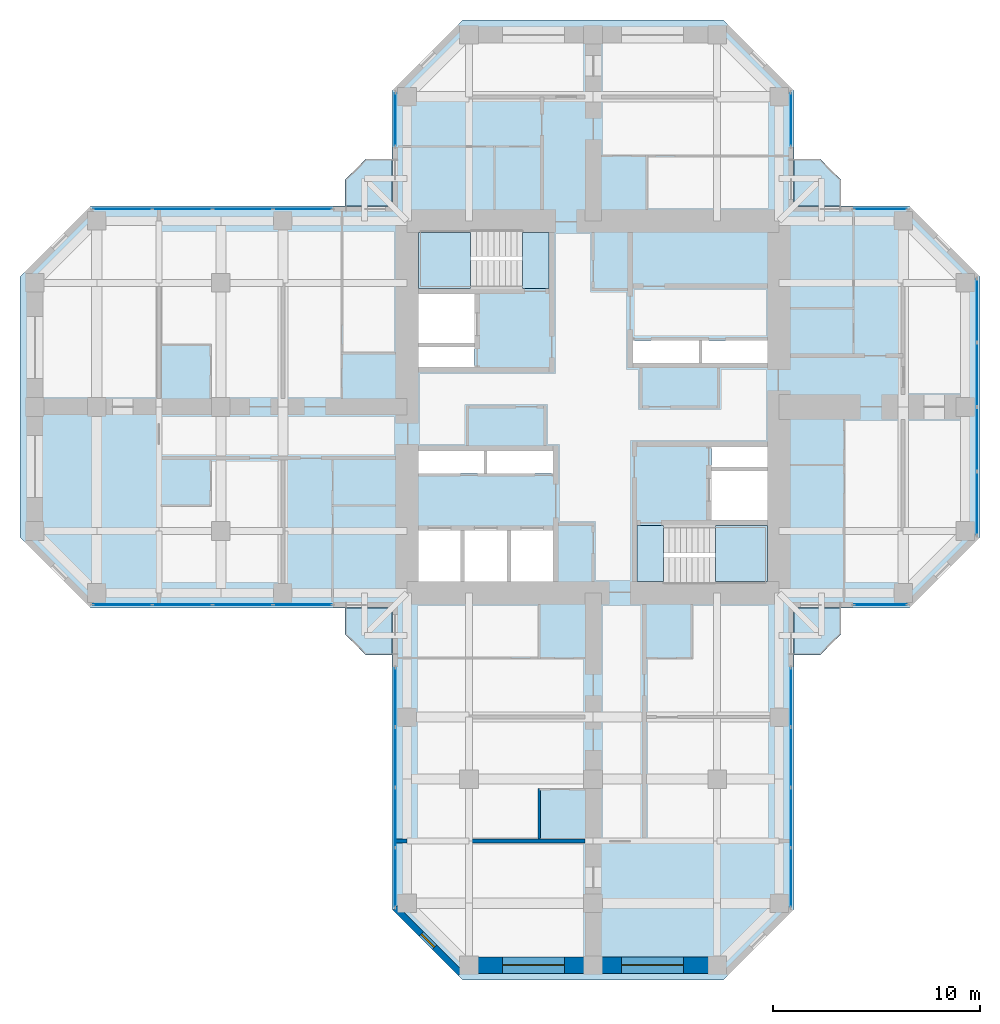
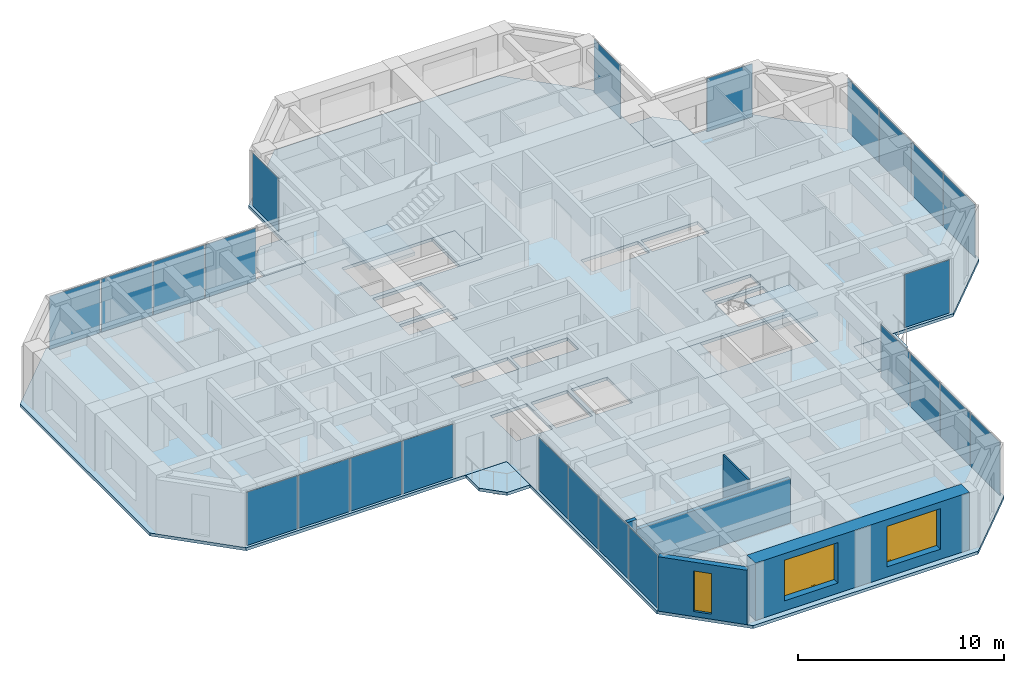
# One storey, part 7 of 14: 24 plates, 9 slabs, 5 walls, 3 windows, 3 openings, 11 elements without a shape of their own.
"""IFC4 building model written with IfcOpenShell, lengths in metres."""

from ifc_helpers import new_model, si_unit, direction, frame, frame_2d, origin, origin_2d, place, context, subcontext, project, spatial, polyline, rectangle, hollow_rectangle, outline, extrude, material, layer, layer_set, constituent, constituent_set, type_object, element, fill, aggregate, save


model = new_model("IFC4")

# Units and contexts
model_context = context("Model", 3, precision=1e-05, world=origin(), true_north=direction((0.0, 1.0)))
body_context = subcontext(model_context, "Body", "Model", "MODEL_VIEW")
ifc_project = project(units=[si_unit("LENGTHUNIT", "METRE"), si_unit("AREAUNIT", "SQUARE_METRE"), si_unit("VOLUMEUNIT", "CUBIC_METRE"), si_unit("PLANEANGLEUNIT", "RADIAN"), si_unit("MASSUNIT", "GRAM", prefix="KILO")], contexts=[model_context])

# Site, building, storey
site_placement = place(None, origin())
site = spatial("IfcSite", under=ifc_project, at=site_placement, CompositionType="ELEMENT")
building_placement = place(site_placement, origin())
building = spatial("IfcBuilding", under=site, at=building_placement, Name="Torre Cruceta", CompositionType="ELEMENT")
storey_placement = place(building_placement, frame((0.0, 0.0, 179.699951171875)))
storey = spatial("IfcBuildingStorey", under=building, at=storey_placement, Name="L44", CompositionType="ELEMENT", Elevation=179.699951171875)

# Slabs
ifc_material_1 = material(Name="Concrete G35 (fck 35 MPa)", Category="concrete")
ifc_layer_1 = layer(ifc_material_1, 0.179931640625)
ifc_layer_set_1 = layer_set([ifc_layer_1], Name="Concrete G35 (fck 35 MPa)")
slab_type_1 = type_object("IfcSlabType", Name="BALCONY SLAB 180", PredefinedType="USERDEFINED", material=ifc_layer_set_1)
slab_1_placement = place(storey_placement, frame((0.0, 0.0, -0.179931640625)))
element("IfcSlab", 1, at=slab_1_placement, inside=storey, type_object=slab_type_1, Name="Balcony slab L44 N", ObjectType="BALCONY", PredefinedType="USERDEFINED", context=body_context, shape_type="SweptSolid", body=[
    extrude(outline(polyline([(-12.0, 11.0), (-11.0, 12.0), (-9.719970703125, 12.0), (-9.719970703125, 9.719970703125), (-12.0, 9.719970703125), (-12.0, 11.0)])), origin(), (0.0, 0.0, 1.0), 0.179931640625),
])
slab_2_placement = place(storey_placement, frame((0.0, 0.0, -0.179931640625)))
element("IfcSlab", 2, at=slab_2_placement, inside=storey, type_object=slab_type_1, Name="Balcony slab L44 E", ObjectType="BALCONY", PredefinedType="USERDEFINED", context=body_context, shape_type="SweptSolid", body=[
    extrude(outline(polyline([(11.0, 12.0), (12.0, 11.0), (12.0, 9.719970703125), (9.719970703125, 9.719970703125), (9.719970703125, 12.0), (11.0, 12.0)])), origin(), (0.0, 0.0, 1.0), 0.179931640625),
])
slab_3_placement = place(storey_placement, frame((0.0, 0.0, -0.179931640625)))
element("IfcSlab", 3, at=slab_3_placement, inside=storey, type_object=slab_type_1, Name="Balcony slab L44 S", ObjectType="BALCONY", PredefinedType="USERDEFINED", context=body_context, shape_type="SweptSolid", body=[
    extrude(outline(polyline([(12.0, -11.0), (11.0, -12.0), (9.719970703125, -12.0), (9.719970703125, -9.719970703125), (12.0, -9.719970703125), (12.0, -11.0)])), origin(), (0.0, 0.0, 1.0), 0.179931640625),
])
slab_4_placement = place(storey_placement, frame((0.0, 0.0, -0.179931640625)))
element("IfcSlab", 4, at=slab_4_placement, inside=storey, type_object=slab_type_1, Name="Balcony slab L44 W", ObjectType="BALCONY", PredefinedType="USERDEFINED", context=body_context, shape_type="SweptSolid", body=[
    extrude(outline(polyline([(-11.0, -12.0), (-12.0, -11.0), (-12.0, -9.719970703125), (-9.719970703125, -9.719970703125), (-9.719970703125, -12.0), (-11.0, -12.0)])), origin(), (0.0, 0.0, 1.0), 0.179931640625),
])

# Curtain wall, plate
ifc_material_2 = material(Name="Aluminium unitised curtain wall", Category="aluminium")
curtain_wall_type = type_object("IfcCurtainWallType", Name="CURTAIN WALL CW-C CO-LIVING", PredefinedType="USERDEFINED", material=ifc_material_2)
curtain_wall_1_placement = place(storey_placement, origin())
curtain_wall_1 = element("IfcCurtainWall", 5, at=curtain_wall_1_placement, inside=storey, type_object=curtain_wall_type, Name="CW-C L44 E tip 02", ObjectType="UNITISED", PredefinedType="USERDEFINED")
ifc_material_3 = material(Name="Laminated insulating glass unit, diagonal frit 50 %", Category="glass")
ifc_material_4 = material(Name="Laminated insulating glass unit, diagonal frit 50 %", Category="glass")
ifc_layer_2 = layer(ifc_material_4, 0.030029296875)
ifc_layer_set_2 = layer_set([ifc_layer_2], Name="Laminated insulating glass unit, diagonal frit 50 %")
plate_type_1 = type_object("IfcPlateType", Name="CW-C OPERABLE VENT PANEL 30", PredefinedType="CURTAIN_PANEL", material=ifc_layer_set_2)
plate_1_placement = place(storey_placement, frame((18.570068359375, -1.55908203125, 0.010009765625), z_axis=(0.0, 0.0, 1.0), x_axis=(0.0, 1.0, 0.0)))
plate_1 = element("IfcPlate", 6, at=plate_1_placement, type_object=plate_type_1, material=ifc_material_3, Name="CW-C vent 2", PredefinedType="CURTAIN_PANEL", context=body_context, shape_type="SweptSolid", body=[
    extrude(rectangle(XDim=3.05810546875, YDim=0.030029296875, at=origin_2d()), origin(), (0.0, 0.0, 1.0), 3.14990234375),
])

curtain_wall_2_placement = place(storey_placement, origin())
curtain_wall_2 = element("IfcCurtainWall", 7, at=curtain_wall_2_placement, inside=storey, type_object=curtain_wall_type, Name="CW-C L44 W side 10", ObjectType="UNITISED", PredefinedType="USERDEFINED")
plate_2_placement = place(storey_placement, frame((-16.94482421875, 9.570068359375, 0.010009765625), z_axis=(0.0, 0.0, 1.0), x_axis=(-1.0, 0.0, 0.0)))
plate_2 = element("IfcPlate", 8, at=plate_2_placement, type_object=plate_type_1, material=ifc_material_3, Name="CW-C vent 2", PredefinedType="CURTAIN_PANEL", context=body_context, shape_type="SweptSolid", body=[
    extrude(rectangle(XDim=2.8564453125, YDim=0.030029296875, at=origin_2d()), origin(), (0.0, 0.0, 1.0), 3.14990234375),
])

curtain_wall_3_placement = place(storey_placement, origin())
curtain_wall_3 = element("IfcCurtainWall", 9, at=curtain_wall_3_placement, inside=storey, type_object=curtain_wall_type, Name="CW-C L44 W side 14", ObjectType="UNITISED", PredefinedType="USERDEFINED")
plate_3_placement = place(storey_placement, frame((-19.861328125, -9.570068359375, 0.010009765625), z_axis=(0.0, 0.0, 1.0), x_axis=(1.0, 0.0, 0.0)))
plate_3 = element("IfcPlate", 10, at=plate_3_placement, type_object=plate_type_1, material=ifc_material_3, Name="CW-C vent 2", PredefinedType="CURTAIN_PANEL", context=body_context, shape_type="SweptSolid", body=[
    extrude(rectangle(XDim=2.8564453125, YDim=0.030029296875, at=origin_2d()), origin(), (0.0, 0.0, 1.0), 3.14990234375),
])

curtain_wall_4_placement = place(storey_placement, origin())
curtain_wall_4 = element("IfcCurtainWall", 11, at=curtain_wall_4_placement, inside=storey, type_object=curtain_wall_type, Name="CW-C L44 S side 15", ObjectType="UNITISED", PredefinedType="USERDEFINED")
plate_4_placement = place(storey_placement, frame((-9.570068359375, -16.94482421875, 0.010009765625), z_axis=(0.0, 0.0, 1.0), x_axis=(0.0, -1.0, 0.0)))
plate_4 = element("IfcPlate", 12, at=plate_4_placement, type_object=plate_type_1, material=ifc_material_3, Name="CW-C vent 2", PredefinedType="CURTAIN_PANEL", context=body_context, shape_type="SweptSolid", body=[
    extrude(rectangle(XDim=2.8564453125, YDim=0.030029296875, at=origin_2d()), origin(), (0.0, 0.0, 1.0), 3.14990234375),
])

curtain_wall_5_placement = place(storey_placement, origin())
curtain_wall_5 = element("IfcCurtainWall", 13, at=curtain_wall_5_placement, inside=storey, type_object=curtain_wall_type, Name="CW-C L44 S side 19", ObjectType="UNITISED", PredefinedType="USERDEFINED")
plate_5_placement = place(storey_placement, frame((9.570068359375, -19.861328125, 0.010009765625), z_axis=(0.0, 0.0, 1.0), x_axis=(0.0, 1.0, 0.0)))
plate_5 = element("IfcPlate", 14, at=plate_5_placement, type_object=plate_type_1, material=ifc_material_3, Name="CW-C vent 2", PredefinedType="CURTAIN_PANEL", context=body_context, shape_type="SweptSolid", body=[
    extrude(rectangle(XDim=2.8564453125, YDim=0.030029296875, at=origin_2d()), origin(), (0.0, 0.0, 1.0), 3.14990234375),
])

curtain_wall_6_placement = place(storey_placement, origin())
curtain_wall_6 = element("IfcCurtainWall", 15, at=curtain_wall_6_placement, inside=storey, type_object=curtain_wall_type, Name="CW-C L44 E side 00", ObjectType="UNITISED", PredefinedType="USERDEFINED")
ifc_material_5 = material(Name="Laminated insulating glass unit, diagonal frit 50 %", Category="glass")
ifc_layer_3 = layer(ifc_material_5, 0.030029296875)
ifc_layer_set_3 = layer_set([ifc_layer_3], Name="Laminated insulating glass unit, diagonal frit 50 %")
plate_type_2 = type_object("IfcPlateType", Name="CW-C PANEL 30", PredefinedType="CURTAIN_PANEL", material=ifc_layer_set_3)
plate_6_placement = place(storey_placement, frame((13.903076171875, -9.570068359375, 0.010009765625), z_axis=(0.0, 0.0, 1.0), x_axis=(1.0, 0.0, 0.0)))
plate_6 = element("IfcPlate", 16, at=plate_6_placement, type_object=plate_type_2, material=ifc_material_3, Name="CW-C panel 1", PredefinedType="CURTAIN_PANEL", context=body_context, shape_type="SweptSolid", body=[
    extrude(rectangle(XDim=2.546142578125, YDim=0.030029296875, at=origin_2d()), origin(), (0.0, 0.0, 1.0), 3.14990234375),
])
aggregate(curtain_wall_6, [plate_6])

# Plate
plate_7_placement = place(storey_placement, frame((18.570068359375, -4.662109375, 0.010009765625), z_axis=(0.0, 0.0, 1.0), x_axis=(0.0, 1.0, 0.0)))
plate_7 = element("IfcPlate", 17, at=plate_7_placement, type_object=plate_type_2, material=ifc_material_3, Name="CW-C panel 1", PredefinedType="CURTAIN_PANEL", context=body_context, shape_type="SweptSolid", body=[
    extrude(rectangle(XDim=3.028076171875, YDim=0.030029296875, at=origin_2d()), origin(), (0.0, 0.0, 1.0), 3.14990234375),
])

plate_8_placement = place(storey_placement, frame((18.570068359375, 1.55908203125, 0.010009765625), z_axis=(0.0, 0.0, 1.0), x_axis=(0.0, 1.0, 0.0)))
plate_8 = element("IfcPlate", 18, at=plate_8_placement, type_object=plate_type_2, material=ifc_material_3, Name="CW-C panel 3", PredefinedType="CURTAIN_PANEL", context=body_context, shape_type="SweptSolid", body=[
    extrude(rectangle(XDim=3.05810546875, YDim=0.030029296875, at=origin_2d()), origin(), (0.0, 0.0, 1.0), 3.14990234375),
])

plate_9_placement = place(storey_placement, frame((18.570068359375, 4.662109375, 0.010009765625), z_axis=(0.0, 0.0, 1.0), x_axis=(0.0, 1.0, 0.0)))
plate_9 = element("IfcPlate", 19, at=plate_9_placement, type_object=plate_type_2, material=ifc_material_3, Name="CW-C panel 4", PredefinedType="CURTAIN_PANEL", context=body_context, shape_type="SweptSolid", body=[
    extrude(rectangle(XDim=3.028076171875, YDim=0.030029296875, at=origin_2d()), origin(), (0.0, 0.0, 1.0), 3.14990234375),
])

aggregate(curtain_wall_1, [plate_7, plate_1, plate_8, plate_9])

# Curtain wall, plate
curtain_wall_7_placement = place(storey_placement, origin())
curtain_wall_7 = element("IfcCurtainWall", 20, at=curtain_wall_7_placement, inside=storey, type_object=curtain_wall_type, Name="CW-C L44 E side 04", ObjectType="UNITISED", PredefinedType="USERDEFINED")
plate_10_placement = place(storey_placement, frame((13.903076171875, 9.570068359375, 0.010009765625), z_axis=(0.0, 0.0, 1.0), x_axis=(-1.0, 0.0, 0.0)))
plate_10 = element("IfcPlate", 21, at=plate_10_placement, type_object=plate_type_2, material=ifc_material_3, Name="CW-C panel 1", PredefinedType="CURTAIN_PANEL", context=body_context, shape_type="SweptSolid", body=[
    extrude(rectangle(XDim=2.546142578125, YDim=0.030029296875, at=origin_2d()), origin(), (0.0, 0.0, 1.0), 3.14990234375),
])
aggregate(curtain_wall_7, [plate_10])

curtain_wall_8_placement = place(storey_placement, origin())
curtain_wall_8 = element("IfcCurtainWall", 22, at=curtain_wall_8_placement, inside=storey, type_object=curtain_wall_type, Name="CW-C L44 N side 05", ObjectType="UNITISED", PredefinedType="USERDEFINED")
plate_11_placement = place(storey_placement, frame((9.570068359375, 13.903076171875, 0.010009765625), z_axis=(0.0, 0.0, 1.0), x_axis=(0.0, 1.0, 0.0)))
plate_11 = element("IfcPlate", 23, at=plate_11_placement, type_object=plate_type_2, material=ifc_material_3, Name="CW-C panel 1", PredefinedType="CURTAIN_PANEL", context=body_context, shape_type="SweptSolid", body=[
    extrude(rectangle(XDim=2.546142578125, YDim=0.030029296875, at=origin_2d()), origin(), (0.0, 0.0, 1.0), 3.14990234375),
])
aggregate(curtain_wall_8, [plate_11])

curtain_wall_9_placement = place(storey_placement, origin())
curtain_wall_9 = element("IfcCurtainWall", 24, at=curtain_wall_9_placement, inside=storey, type_object=curtain_wall_type, Name="CW-C L44 N side 09", ObjectType="UNITISED", PredefinedType="USERDEFINED")
plate_12_placement = place(storey_placement, frame((-9.570068359375, 13.903076171875, 0.010009765625), z_axis=(0.0, 0.0, 1.0), x_axis=(0.0, -1.0, 0.0)))
plate_12 = element("IfcPlate", 25, at=plate_12_placement, type_object=plate_type_2, material=ifc_material_3, Name="CW-C panel 1", PredefinedType="CURTAIN_PANEL", context=body_context, shape_type="SweptSolid", body=[
    extrude(rectangle(XDim=2.546142578125, YDim=0.030029296875, at=origin_2d()), origin(), (0.0, 0.0, 1.0), 3.14990234375),
])
aggregate(curtain_wall_9, [plate_12])

# Plate
plate_13_placement = place(storey_placement, frame((-14.043212890625, 9.570068359375, 0.010009765625), z_axis=(0.0, 0.0, 1.0), x_axis=(-1.0, 0.0, 0.0)))
plate_13 = element("IfcPlate", 26, at=plate_13_placement, type_object=plate_type_2, material=ifc_material_3, Name="CW-C panel 1", PredefinedType="CURTAIN_PANEL", context=body_context, shape_type="SweptSolid", body=[
    extrude(rectangle(XDim=2.826416015625, YDim=0.030029296875, at=origin_2d()), origin(), (0.0, 0.0, 1.0), 3.14990234375),
])

plate_14_placement = place(storey_placement, frame((-19.861328125, 9.570068359375, 0.010009765625), z_axis=(0.0, 0.0, 1.0), x_axis=(-1.0, 0.0, 0.0)))
plate_14 = element("IfcPlate", 27, at=plate_14_placement, type_object=plate_type_2, material=ifc_material_3, Name="CW-C panel 3", PredefinedType="CURTAIN_PANEL", context=body_context, shape_type="SweptSolid", body=[
    extrude(rectangle(XDim=2.8564453125, YDim=0.030029296875, at=origin_2d()), origin(), (0.0, 0.0, 1.0), 3.14990234375),
])

plate_15_placement = place(storey_placement, frame((-22.762939453125, 9.570068359375, 0.010009765625), z_axis=(0.0, 0.0, 1.0), x_axis=(-1.0, 0.0, 0.0)))
plate_15 = element("IfcPlate", 28, at=plate_15_placement, type_object=plate_type_2, material=ifc_material_3, Name="CW-C panel 4", PredefinedType="CURTAIN_PANEL", context=body_context, shape_type="SweptSolid", body=[
    extrude(rectangle(XDim=2.826416015625, YDim=0.030029296875, at=origin_2d()), origin(), (0.0, 0.0, 1.0), 3.14990234375),
])

aggregate(curtain_wall_2, [plate_13, plate_2, plate_14, plate_15])

plate_16_placement = place(storey_placement, frame((-22.762939453125, -9.570068359375, 0.010009765625), z_axis=(0.0, 0.0, 1.0), x_axis=(1.0, 0.0, 0.0)))
plate_16 = element("IfcPlate", 29, at=plate_16_placement, type_object=plate_type_2, material=ifc_material_3, Name="CW-C panel 1", PredefinedType="CURTAIN_PANEL", context=body_context, shape_type="SweptSolid", body=[
    extrude(rectangle(XDim=2.826416015625, YDim=0.030029296875, at=origin_2d()), origin(), (0.0, 0.0, 1.0), 3.14990234375),
])

plate_17_placement = place(storey_placement, frame((-16.94482421875, -9.570068359375, 0.010009765625), z_axis=(0.0, 0.0, 1.0), x_axis=(1.0, 0.0, 0.0)))
plate_17 = element("IfcPlate", 30, at=plate_17_placement, type_object=plate_type_2, material=ifc_material_3, Name="CW-C panel 3", PredefinedType="CURTAIN_PANEL", context=body_context, shape_type="SweptSolid", body=[
    extrude(rectangle(XDim=2.8564453125, YDim=0.030029296875, at=origin_2d()), origin(), (0.0, 0.0, 1.0), 3.14990234375),
])

plate_18_placement = place(storey_placement, frame((-14.043212890625, -9.570068359375, 0.010009765625), z_axis=(0.0, 0.0, 1.0), x_axis=(1.0, 0.0, 0.0)))
plate_18 = element("IfcPlate", 31, at=plate_18_placement, type_object=plate_type_2, material=ifc_material_3, Name="CW-C panel 4", PredefinedType="CURTAIN_PANEL", context=body_context, shape_type="SweptSolid", body=[
    extrude(rectangle(XDim=2.826416015625, YDim=0.030029296875, at=origin_2d()), origin(), (0.0, 0.0, 1.0), 3.14990234375),
])

aggregate(curtain_wall_3, [plate_16, plate_3, plate_17, plate_18])

plate_19_placement = place(storey_placement, frame((-9.570068359375, -14.043212890625, 0.010009765625), z_axis=(0.0, 0.0, 1.0), x_axis=(0.0, -1.0, 0.0)))
plate_19 = element("IfcPlate", 32, at=plate_19_placement, type_object=plate_type_2, material=ifc_material_3, Name="CW-C panel 1", PredefinedType="CURTAIN_PANEL", context=body_context, shape_type="SweptSolid", body=[
    extrude(rectangle(XDim=2.826416015625, YDim=0.030029296875, at=origin_2d()), origin(), (0.0, 0.0, 1.0), 3.14990234375),
])

plate_20_placement = place(storey_placement, frame((-9.570068359375, -19.861328125, 0.010009765625), z_axis=(0.0, 0.0, 1.0), x_axis=(0.0, -1.0, 0.0)))
plate_20 = element("IfcPlate", 33, at=plate_20_placement, type_object=plate_type_2, material=ifc_material_3, Name="CW-C panel 3", PredefinedType="CURTAIN_PANEL", context=body_context, shape_type="SweptSolid", body=[
    extrude(rectangle(XDim=2.8564453125, YDim=0.030029296875, at=origin_2d()), origin(), (0.0, 0.0, 1.0), 3.14990234375),
])

plate_21_placement = place(storey_placement, frame((-9.570068359375, -22.762939453125, 0.010009765625), z_axis=(0.0, 0.0, 1.0), x_axis=(0.0, -1.0, 0.0)))
plate_21 = element("IfcPlate", 34, at=plate_21_placement, type_object=plate_type_2, material=ifc_material_3, Name="CW-C panel 4", PredefinedType="CURTAIN_PANEL", context=body_context, shape_type="SweptSolid", body=[
    extrude(rectangle(XDim=2.826416015625, YDim=0.030029296875, at=origin_2d()), origin(), (0.0, 0.0, 1.0), 3.14990234375),
])

aggregate(curtain_wall_4, [plate_19, plate_4, plate_20, plate_21])

plate_22_placement = place(storey_placement, frame((9.570068359375, -22.762939453125, 0.010009765625), z_axis=(0.0, 0.0, 1.0), x_axis=(0.0, 1.0, 0.0)))
plate_22 = element("IfcPlate", 35, at=plate_22_placement, type_object=plate_type_2, material=ifc_material_3, Name="CW-C panel 1", PredefinedType="CURTAIN_PANEL", context=body_context, shape_type="SweptSolid", body=[
    extrude(rectangle(XDim=2.826416015625, YDim=0.030029296875, at=origin_2d()), origin(), (0.0, 0.0, 1.0), 3.14990234375),
])

plate_23_placement = place(storey_placement, frame((9.570068359375, -16.94482421875, 0.010009765625), z_axis=(0.0, 0.0, 1.0), x_axis=(0.0, 1.0, 0.0)))
plate_23 = element("IfcPlate", 36, at=plate_23_placement, type_object=plate_type_2, material=ifc_material_3, Name="CW-C panel 3", PredefinedType="CURTAIN_PANEL", context=body_context, shape_type="SweptSolid", body=[
    extrude(rectangle(XDim=2.8564453125, YDim=0.030029296875, at=origin_2d()), origin(), (0.0, 0.0, 1.0), 3.14990234375),
])

plate_24_placement = place(storey_placement, frame((9.570068359375, -14.043212890625, 0.010009765625), z_axis=(0.0, 0.0, 1.0), x_axis=(0.0, 1.0, 0.0)))
plate_24 = element("IfcPlate", 37, at=plate_24_placement, type_object=plate_type_2, material=ifc_material_3, Name="CW-C panel 4", PredefinedType="CURTAIN_PANEL", context=body_context, shape_type="SweptSolid", body=[
    extrude(rectangle(XDim=2.826416015625, YDim=0.030029296875, at=origin_2d()), origin(), (0.0, 0.0, 1.0), 3.14990234375),
])

aggregate(curtain_wall_5, [plate_22, plate_5, plate_23, plate_24])

# Slab
ifc_material_6 = material(Name="Concrete G35 (fck 35 MPa)", Category="concrete")
ifc_layer_4 = layer(ifc_material_6, 0.179931640625)
ifc_layer_set_4 = layer_set([ifc_layer_4], Name="Concrete G35 (fck 35 MPa)")
slab_type_2 = type_object("IfcSlabType", Name="FLOOR SLAB 180", PredefinedType="FLOOR", material=ifc_layer_set_4)
slab_5_placement = place(storey_placement, frame((0.0, 0.0, -0.179931640625)))
element("IfcSlab", 38, at=slab_5_placement, inside=storey, type_object=slab_type_2, Name="Floor Slab L44", PredefinedType="FLOOR", context=body_context, shape_type="SweptSolid", body=[
    extrude(outline(polyline([(9.719970703125, -9.719970703125), (9.719970703125, -24.29833984375), (6.29833984375, -27.719970703125), (-6.29833984375, -27.719970703125), (-9.719970703125, -24.29833984375), (-9.719970703125, -9.719970703125), (-24.29833984375, -9.719970703125), (-27.719970703125, -6.29833984375), (-27.719970703125, 6.29833984375), (-24.29833984375, 9.719970703125), (-9.719970703125, 9.719970703125), (-9.719970703125, 15.29833984375), (-6.29833984375, 18.719970703125), (6.29833984375, 18.719970703125), (9.719970703125, 15.29833984375), (9.719970703125, 9.719970703125), (15.29833984375, 9.719970703125), (18.719970703125, 6.29833984375), (18.719970703125, -6.29833984375), (15.29833984375, -9.719970703125), (9.719970703125, -9.719970703125)]), holes=[polyline([(1.925048828125, 2.125), (5.125, 2.125), (5.125, 3.22509765625), (1.925048828125, 3.22509765625), (1.925048828125, 2.125)]), polyline([(5.27490234375, 2.125), (8.449951171875, 2.125), (8.449951171875, 3.22509765625), (5.27490234375, 3.22509765625), (5.27490234375, 2.125)]), polyline([(-8.449951171875, 3.10009765625), (-5.72509765625, 3.10009765625), (-5.72509765625, 5.47509765625), (-8.449951171875, 5.47509765625), (-8.449951171875, 3.10009765625)]), polyline([(-8.449951171875, 1.925048828125), (-5.72509765625, 1.925048828125), (-5.72509765625, 2.89990234375), (-8.449951171875, 2.89990234375), (-8.449951171875, 1.925048828125)]), polyline([(-3.966552734375, -8.449951171875), (-1.925048828125, -8.449951171875), (-1.925048828125, -5.97509765625), (-3.966552734375, -5.97509765625), (-3.966552734375, -8.449951171875)]), polyline([(-6.208251953125, -8.449951171875), (-4.166748046875, -8.449951171875), (-4.166748046875, -5.97509765625), (-6.208251953125, -5.97509765625), (-6.208251953125, -8.449951171875)]), polyline([(-8.449951171875, -8.449951171875), (-6.408447265625, -8.449951171875), (-6.408447265625, -5.97509765625), (-8.449951171875, -5.97509765625), (-8.449951171875, -8.449951171875)]), polyline([(-5.125, -3.22509765625), (-1.925048828125, -3.22509765625), (-1.925048828125, -2.125), (-5.125, -2.125), (-5.125, -3.22509765625)]), polyline([(-8.449951171875, -3.22509765625), (-5.27490234375, -3.22509765625), (-5.27490234375, -2.125), (-8.449951171875, -2.125), (-8.449951171875, -3.22509765625)]), polyline([(5.72509765625, -5.47509765625), (8.449951171875, -5.47509765625), (8.449951171875, -3.10009765625), (5.72509765625, -3.10009765625), (5.72509765625, -5.47509765625)]), polyline([(5.72509765625, -2.89990234375), (8.449951171875, -2.89990234375), (8.449951171875, -1.925048828125), (5.72509765625, -1.925048828125), (5.72509765625, -2.89990234375)]), polyline([(-8.449951171875, 5.72509765625), (-8.449951171875, 8.449951171875), (-3.39990234375, 8.449951171875), (-2.125, 8.449951171875), (-2.125, 5.72509765625), (-3.39990234375, 5.72509765625), (-8.449951171875, 5.72509765625)]), polyline([(2.125, -5.72509765625), (3.39990234375, -5.72509765625), (8.449951171875, -5.72509765625), (8.449951171875, -8.449951171875), (3.39990234375, -8.449951171875), (2.125, -8.449951171875), (2.125, -5.72509765625)])]), origin(), (0.0, 0.0, 1.0), 0.179931640625),
])

# Stair, slab
ifc_material_7 = material(Name="Concrete G30 (fck 30 MPa)", Category="concrete")
stair_type = type_object("IfcStairType", Name="STAIR HALF-TURN 1300", PredefinedType="HALF_TURN_STAIR", material=ifc_material_7)
stair_1_placement = place(storey_placement, origin())
stair_1 = element("IfcStair", 39, at=stair_1_placement, inside=storey, type_object=stair_type, Name="Stair ST1 L44", PredefinedType="HALF_TURN_STAIR")
ifc_material_8 = material(Name="Concrete G30 (fck 30 MPa)", Category="concrete")
ifc_layer_5 = layer(ifc_material_8, 0.199951171875)
ifc_layer_set_5 = layer_set([ifc_layer_5], Name="Concrete G30 (fck 30 MPa)")
slab_type_3 = type_object("IfcSlabType", Name="STAIR LANDING 200", PredefinedType="LANDING", material=ifc_layer_set_5)
slab_6_placement = place(storey_placement, frame((0.0, 0.0, 1.5)))
slab_6 = element("IfcSlab", 40, at=slab_6_placement, type_object=slab_type_3, Name="ST1 landing 1", PredefinedType="LANDING", context=body_context, shape_type="SweptSolid", body=[
    extrude(outline(polyline([(-8.449951171875, 5.72509765625), (-5.919921875, 5.72509765625), (-5.919921875, 8.449951171875), (-8.449951171875, 8.449951171875), (-8.449951171875, 5.72509765625)])), origin(), (0.0, 0.0, 1.0), 0.199951171875),
])
aggregate(stair_1, [slab_6])

stair_2_placement = place(storey_placement, origin())
stair_2 = element("IfcStair", 41, at=stair_2_placement, inside=storey, type_object=stair_type, Name="Stair ST2 L44", PredefinedType="HALF_TURN_STAIR")
slab_7_placement = place(storey_placement, frame((0.0, 0.0, 1.5)))
slab_7 = element("IfcSlab", 42, at=slab_7_placement, type_object=slab_type_3, Name="ST2 landing 1", PredefinedType="LANDING", context=body_context, shape_type="SweptSolid", body=[
    extrude(outline(polyline([(5.919921875, -8.449951171875), (8.449951171875, -8.449951171875), (8.449951171875, -5.72509765625), (5.919921875, -5.72509765625), (5.919921875, -8.449951171875)])), origin(), (0.0, 0.0, 1.0), 0.199951171875),
])
aggregate(stair_2, [slab_7])

# Slabs
slab_8_placement = place(storey_placement, frame((0.0, 0.0, -0.199951171875)))
element("IfcSlab", 43, at=slab_8_placement, inside=storey, type_object=slab_type_3, Name="Stair ST1 floor landing L44", PredefinedType="LANDING", context=body_context, shape_type="SweptSolid", body=[
    extrude(outline(polyline([(-2.125, 8.449951171875), (-2.125, 5.72509765625), (-3.39990234375, 5.72509765625), (-3.39990234375, 8.449951171875), (-2.125, 8.449951171875)])), origin(), (0.0, 0.0, 1.0), 0.199951171875),
])
slab_9_placement = place(storey_placement, frame((0.0, 0.0, -0.199951171875)))
element("IfcSlab", 44, at=slab_9_placement, inside=storey, type_object=slab_type_3, Name="Stair ST2 floor landing L44", PredefinedType="LANDING", context=body_context, shape_type="SweptSolid", body=[
    extrude(outline(polyline([(2.125, -8.449951171875), (2.125, -5.72509765625), (3.39990234375, -5.72509765625), (3.39990234375, -8.449951171875), (2.125, -8.449951171875)])), origin(), (0.0, 0.0, 1.0), 0.199951171875),
])

# Wall
ifc_material_9 = material(Name="Water-resistant plasterboard on steel studs", Category="steel")
ifc_layer_6 = layer(ifc_material_9, 0.10009765625)
ifc_layer_set_6 = layer_set([ifc_layer_6], Name="Water-resistant plasterboard on steel studs")
wall_type_1 = type_object("IfcWallType", Name="BATHROOM WALL 100", PredefinedType="PARTITIONING", material=ifc_layer_set_6)
wall_1_placement = place(storey_placement, frame((-2.60009765625, -18.449951171875, 0.0), z_axis=(0.0, 0.0, 1.0), x_axis=(0.0, -1.0, 0.0)))
element("IfcWall", 45, at=wall_1_placement, inside=storey, type_object=wall_type_1, Name="PT4 L44-S-U2RBB", PredefinedType="PARTITIONING", context=body_context, shape_type="SweptSolid", body=[
    extrude(rectangle(XDim=2.449951171875, YDim=0.10009765625, at=frame_2d((1.22509765625, 0.0))), origin(), (0.0, 0.0, 1.0), 3.219970703125),
])

# Wall, opening, window
ifc_material_10 = material(Name="Concrete G30 (fck 30 MPa)", Category="concrete")
ifc_layer_7 = layer(ifc_material_10, 0.300048828125)
ifc_layer_set_7 = layer_set([ifc_layer_7], Name="Concrete G30 (fck 30 MPa)")
wall_type_2 = type_object("IfcWallType", Name="EXPOSED CONCRETE FACADE WALL 300", PredefinedType="SOLIDWALL", material=ifc_layer_set_7)
wall_2_placement = place(storey_placement, frame((-9.570068359375, -24.236083984375, 0.0), z_axis=(0.0, 0.0, 1.0), x_axis=(0.707134062067, -0.707079499254, 0.0)))
wall_2 = element("IfcWall", 46, at=wall_2_placement, inside=storey, type_object=wall_type_2, Name="EW1 facade wall L44 S chamfer 16", PredefinedType="SOLIDWALL", context=body_context, shape_type="SweptSolid", body=[
    extrude(rectangle(XDim=4.474609375, YDim=0.300048828125, at=frame_2d((2.2373046875, 0.0))), origin(), (0.0, 0.0, 1.0), 3.219970703125),
])
opening_1_placement = place(wall_2_placement, frame((1.787109375, 0.0, 0.300048828125)))
opening_1 = element("IfcOpeningElement", 47, at=opening_1_placement, cuts=wall_2, Name="Opening WN5", PredefinedType="OPENING", context=body_context, shape_type="SweptSolid", body=[
    extrude(rectangle(XDim=0.89990234375, YDim=2.39990234375, at=frame_2d((0.449951171875, 1.199951171875))), frame((0.0, 0.159912109375, 0.0), z_axis=(0.0, -1.0, 0.0), x_axis=(1.0, 0.0, 0.0)), (0.0, 0.0, 1.0), 0.320068359375),
])
ifc_material_11 = material(Name="Aluminium window frame", Category="aluminium")
ifc_constituent_1 = constituent(ifc_material_11, Name="Frame")
ifc_material_12 = material(Name="Laminated insulating glass unit, low-iron clear", Category="glass")
ifc_constituent_2 = constituent(ifc_material_12, Name="Glazing")
ifc_constituent_set_1 = constituent_set(constituents=[ifc_constituent_1, ifc_constituent_2], Name="Aluminium window")
window_type_1 = type_object("IfcWindowType", Name="CHAMFER SLOT WINDOW 900X2400", PartitioningType="SINGLE_PANEL", PredefinedType="WINDOW", material=ifc_constituent_set_1)
window_1_placement = place(opening_1_placement, origin())
window_1 = element("IfcWindow", 48, at=window_1_placement, inside=storey, type_object=window_type_1, Name="WN5 L44 S 1", OverallHeight=2.39990234375, OverallWidth=0.89990234375, PartitioningType="SINGLE_PANEL", PredefinedType="WINDOW", context=body_context, shape_type="SweptSolid", body=[
    extrude(hollow_rectangle(XDim=0.89990234375, YDim=2.39990234375, WallThickness=0.06005859375, at=frame_2d((0.449951171875, 1.199951171875))), frame((0.0, 0.030029296875, 0.0), z_axis=(0.0, -1.0, 0.0), x_axis=(1.0, 0.0, 0.0)), (0.0, 0.0, 1.0), 0.06005859375),
    extrude(rectangle(XDim=0.77880859375, YDim=2.27880859375, at=frame_2d((0.449951171875, 1.199951171875))), frame((0.0, 0.030029296875, 0.0), z_axis=(0.0, -1.0, 0.0), x_axis=(1.0, 0.0, 0.0)), (0.0, 0.0, 1.0), 0.06005859375),
])
fill(opening_1, window_1)

# Wall, openings, windows
ifc_material_13 = material(Name="Concrete G60 (fck 60 MPa)", Category="concrete")
ifc_layer_8 = layer(ifc_material_13, 0.800048828125)
ifc_layer_set_8 = layer_set([ifc_layer_8], Name="Concrete G60 (fck 60 MPa)")
wall_type_3 = type_object("IfcWallType", Name="NOSE WALL 800 G60", PredefinedType="SHEAR", material=ifc_layer_set_8)
wall_3_placement = place(storey_placement, frame((-6.0, -27.0, 0.0), z_axis=(0.0, 0.0, 1.0), x_axis=(1.0, 0.0, 0.0)))
wall_3 = element("IfcWall", 49, at=wall_3_placement, inside=storey, type_object=wall_type_3, Name="NW2 nose wall L44 S", PredefinedType="SHEAR", context=body_context, shape_type="SweptSolid", body=[
    extrude(rectangle(XDim=12.0, YDim=0.800048828125, at=frame_2d((6.0, 0.0))), origin(), (0.0, 0.0, 1.0), 3.400146484375),
])
opening_2_placement = place(wall_3_placement, frame((1.625, 0.0, 0.60009765625)))
opening_2 = element("IfcOpeningElement", 50, at=opening_2_placement, cuts=wall_3, Name="Opening WN6", PredefinedType="OPENING", context=body_context, shape_type="SweptSolid", body=[
    extrude(rectangle(XDim=3.0, YDim=2.39990234375, at=frame_2d((1.5, 1.199951171875))), frame((0.0, 0.409912109375, 0.0), z_axis=(0.0, -1.0, 0.0), x_axis=(1.0, 0.0, 0.0)), (0.0, 0.0, 1.0), 0.820068359375),
])
opening_3_placement = place(wall_3_placement, frame((7.375, 0.0, 0.60009765625)))
opening_3 = element("IfcOpeningElement", 51, at=opening_3_placement, cuts=wall_3, Name="Opening WN6", PredefinedType="OPENING", context=body_context, shape_type="SweptSolid", body=[
    extrude(rectangle(XDim=3.0, YDim=2.39990234375, at=frame_2d((1.5, 1.199951171875))), frame((0.0, 0.409912109375, 0.0), z_axis=(0.0, -1.0, 0.0), x_axis=(1.0, 0.0, 0.0)), (0.0, 0.0, 1.0), 0.820068359375),
])
ifc_material_14 = material(Name="Aluminium window frame", Category="aluminium")
ifc_constituent_3 = constituent(ifc_material_14, Name="Frame")
ifc_material_15 = material(Name="Laminated insulating glass unit, low-iron clear", Category="glass")
ifc_constituent_4 = constituent(ifc_material_15, Name="Glazing")
ifc_constituent_set_2 = constituent_set(constituents=[ifc_constituent_3, ifc_constituent_4], Name="Aluminium window")
window_type_2 = type_object("IfcWindowType", Name="NOSE WALL WINDOW 3000X2400", PartitioningType="SINGLE_PANEL", PredefinedType="WINDOW", material=ifc_constituent_set_2)
window_2_placement = place(opening_2_placement, origin())
window_2 = element("IfcWindow", 52, at=window_2_placement, inside=storey, type_object=window_type_2, Name="WN6 L44 S 1", OverallHeight=2.39990234375, OverallWidth=3.0, PartitioningType="SINGLE_PANEL", PredefinedType="WINDOW", context=body_context, shape_type="SweptSolid", body=[
    extrude(hollow_rectangle(XDim=3.0, YDim=2.39990234375, WallThickness=0.06005859375, at=frame_2d((1.5, 1.199951171875))), frame((0.0, 0.030029296875, 0.0), z_axis=(0.0, -1.0, 0.0), x_axis=(1.0, 0.0, 0.0)), (0.0, 0.0, 1.0), 0.06005859375),
    extrude(rectangle(XDim=2.87890625, YDim=2.27880859375, at=frame_2d((1.5, 1.199951171875))), frame((0.0, 0.030029296875, 0.0), z_axis=(0.0, -1.0, 0.0), x_axis=(1.0, 0.0, 0.0)), (0.0, 0.0, 1.0), 0.06005859375),
])
fill(opening_2, window_2)
window_3_placement = place(opening_3_placement, origin())
window_3 = element("IfcWindow", 53, at=window_3_placement, inside=storey, type_object=window_type_2, Name="WN6 L44 S 2", OverallHeight=2.39990234375, OverallWidth=3.0, PartitioningType="SINGLE_PANEL", PredefinedType="WINDOW", context=body_context, shape_type="SweptSolid", body=[
    extrude(hollow_rectangle(XDim=3.0, YDim=2.39990234375, WallThickness=0.06005859375, at=frame_2d((1.5, 1.199951171875))), frame((0.0, 0.030029296875, 0.0), z_axis=(0.0, -1.0, 0.0), x_axis=(1.0, 0.0, 0.0)), (0.0, 0.0, 1.0), 0.06005859375),
    extrude(rectangle(XDim=2.87890625, YDim=2.27880859375, at=frame_2d((1.5, 1.199951171875))), frame((0.0, 0.030029296875, 0.0), z_axis=(0.0, -1.0, 0.0), x_axis=(1.0, 0.0, 0.0)), (0.0, 0.0, 1.0), 0.06005859375),
])
fill(opening_3, window_3)

# Walls
ifc_material_16 = material(Name="Concrete G25 (fck 25 MPa)", Category="concrete")
ifc_layer_9 = layer(ifc_material_16, 0.199951171875)
ifc_layer_set_9 = layer_set([ifc_layer_9], Name="Concrete G25 (fck 25 MPa)")
wall_type_4 = type_object("IfcWallType", Name="UNIT SEPARATING WALL 200", PredefinedType="SOLIDWALL", material=ifc_layer_set_9)
wall_4_placement = place(storey_placement, frame((-9.530029296875, -21.0, 0.0), z_axis=(0.0, 0.0, 1.0), x_axis=(1.0, 0.0, 0.0)))
element("IfcWall", 54, at=wall_4_placement, inside=storey, type_object=wall_type_4, Name="PT2 L44-S-ENDa", PredefinedType="SOLIDWALL", context=body_context, shape_type="SweptSolid", body=[
    extrude(rectangle(XDim=0.530029296875, YDim=0.199951171875, at=frame_2d((0.26513671875, 0.0))), origin(), (0.0, 0.0, 1.0), 3.219970703125),
])
wall_5_placement = place(storey_placement, frame((-9.0, -21.0, 0.0), z_axis=(0.0, 0.0, 1.0), x_axis=(1.0, 0.0, 0.0)))
element("IfcWall", 55, at=wall_5_placement, inside=storey, type_object=wall_type_4, Name="PT2 L44-S-ENDa 2", PredefinedType="SOLIDWALL", context=body_context, shape_type="SweptSolid", body=[
    extrude(rectangle(XDim=8.60009765625, YDim=0.199951171875, at=frame_2d((4.300048828125, 0.0))), origin(), (0.0, 0.0, 1.0), 2.6201171875),
])

save(model, "model.ifc")
